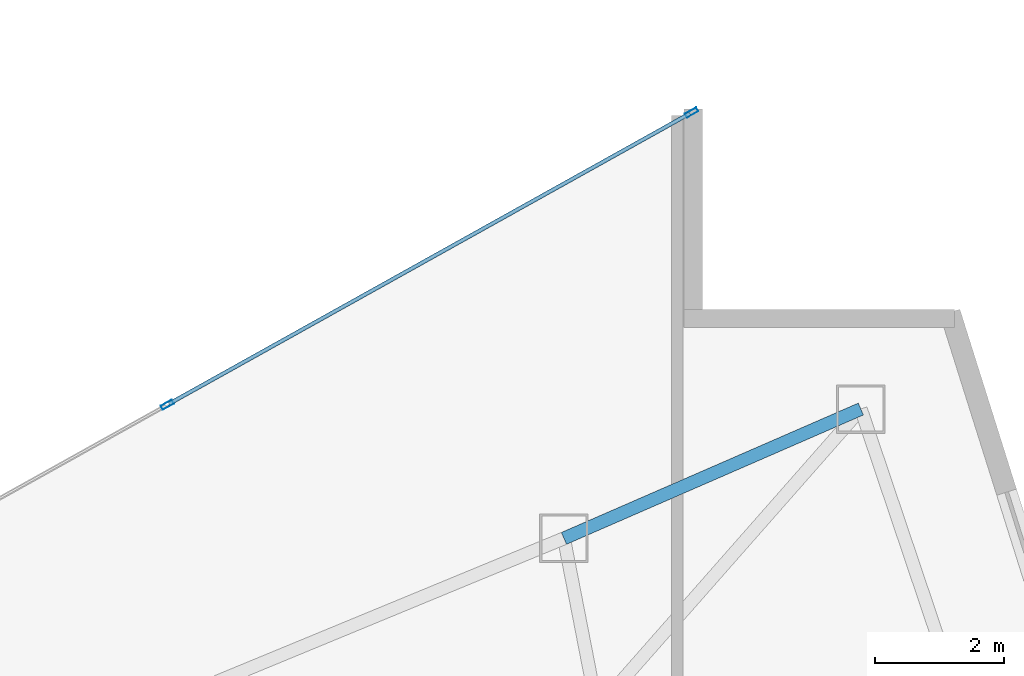
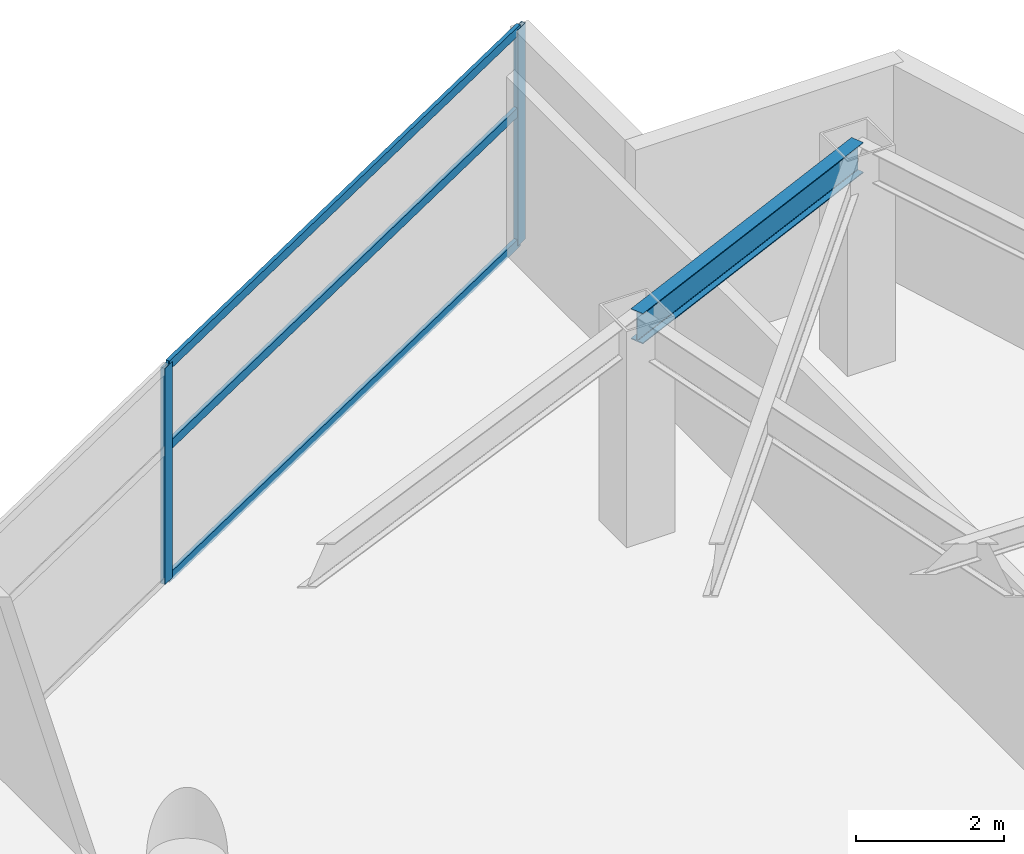
# One storey, part 20 of 29: 5 members, 1 beam, 1 element without a shape of its own.
"""IFC4 building model written with IfcOpenShell, lengths in metres."""

from ifc_helpers import new_model, si_unit, direction, frame, origin, origin_2d, place, context, subcontext, project, spatial, hollow_rectangle, i_section, extrude, material, layer, layer_set, material_profile, profile_set, type_object, element, aggregate, save


model = new_model("IFC4")

# Units and contexts
model_context = context("Model", 3, precision=1e-05, world=origin(), true_north=direction((0.0, 1.0)))
body_context = subcontext(model_context, "Body", "Model", "MODEL_VIEW")
ifc_project = project(units=[si_unit("LENGTHUNIT", "METRE"), si_unit("AREAUNIT", "SQUARE_METRE"), si_unit("VOLUMEUNIT", "CUBIC_METRE"), si_unit("PLANEANGLEUNIT", "RADIAN"), si_unit("MASSUNIT", "GRAM", prefix="KILO")], contexts=[model_context])

# Site, building, storey
site_placement = place(None, origin())
site = spatial("IfcSite", under=ifc_project, at=site_placement, CompositionType="ELEMENT")
building_placement = place(site_placement, origin())
building = spatial("IfcBuilding", under=site, at=building_placement, Name="Calvorn Quay Hotel", CompositionType="ELEMENT")
storey_placement = place(building_placement, frame((0.0, 0.0, 167.5)))
storey = spatial("IfcBuildingStorey", under=building, at=storey_placement, Name="L41", CompositionType="ELEMENT", Elevation=167.5)

# Beam
ifc_material_1 = material(Name="Steel Q355B", Category="steel")
ifc_material_profile_1 = material_profile(ifc_material_1, i_section(OverallWidth=0.199951171875, OverallDepth=0.5, WebThickness=0.010009765625, FlangeThickness=0.01611328125, FilletRadius=0.01611328125, at=origin_2d()), Name="HN500x200x10x16")
ifc_profile_set_1 = profile_set([ifc_material_profile_1], Name="Steel Q355B")
beam_type = type_object("IfcBeamType", Name="BM-SPANDREL-Z1", PredefinedType="SPANDREL", material=ifc_profile_set_1)
beam_placement = place(storey_placement, frame((48.591064453125, 33.39990234375, 3.2900390625), z_axis=(-0.916786146489, -0.399378469132, 0.0), x_axis=(0.399378469132, -0.916786146489, 0.0)))
element("IfcBeam", 1, at=beam_placement, inside=storey, type_object=beam_type, Name="Beam BSP-L41-E3", PredefinedType="SPANDREL", context=body_context, shape_type="SweptSolid", body=[
    extrude(i_section(OverallWidth=0.199951171875, OverallDepth=0.5, WebThickness=0.010009765625, FlangeThickness=0.01611328125, FilletRadius=0.01611328125, at=origin_2d()), origin(), (0.0, 0.0, 1.0), 5.0078125),
])

# Curtain wall, members
ifc_material_2 = material(Name="Pale Anodised Aluminium and Low-E Glass", Category="aluminium")
ifc_layer = layer(ifc_material_2, 0.219970703125)
ifc_layer_set = layer_set([ifc_layer], Name="CW-SYS-Z2")
curtain_wall_type = type_object("IfcCurtainWallType", Name="CW-SYS-Z2", PredefinedType="NOTDEFINED", material=ifc_layer_set)
curtain_wall_placement = place(storey_placement, origin())
curtain_wall = element("IfcCurtainWall", 2, at=curtain_wall_placement, inside=storey, type_object=curtain_wall_type, Name="Inner Court Curtain Wall L41-NE1", PredefinedType="NOTDEFINED")
ifc_material_3 = material(Name="Pale Anodised Aluminium 6063-T6", Category="aluminium")
ifc_material_profile_2 = material_profile(ifc_material_3, hollow_rectangle(XDim=0.070068359375, YDim=0.199951171875, WallThickness=0.00390625, at=origin_2d()), Name="ALU-M200x70x4")
ifc_profile_set_2 = profile_set([ifc_material_profile_2], Name="Pale Anodised Aluminium 6063-T6")
member_type_1 = type_object("IfcMemberType", Name="CW-SYS-Z2-MUL", PredefinedType="MULLION", material=ifc_profile_set_2)
member_1_placement = place(storey_placement, frame((45.973876953125, 37.9853515625, 0.0), z_axis=(0.0, 0.0, 1.0), x_axis=(0.486858256224, -0.873480989116, 0.0)))
member_1 = element("IfcMember", 3, at=member_1_placement, type_object=member_type_1, Name="CW-L41-NE1 mullion 1", PredefinedType="MULLION", context=body_context, shape_type="SweptSolid", body=[
    extrude(hollow_rectangle(XDim=0.070068359375, YDim=0.199951171875, WallThickness=0.00390625, at=origin_2d()), origin(), (0.0, 0.0, 1.0), 3.56005859375),
])
member_2_placement = place(storey_placement, frame((37.86669921875, 33.466552734375, 0.0), z_axis=(0.0, 0.0, 1.0), x_axis=(0.486858256224, -0.873480989116, 0.0)))
member_2 = element("IfcMember", 4, at=member_2_placement, type_object=member_type_1, Name="CW-L41-NE1 mullion 2", PredefinedType="MULLION", context=body_context, shape_type="SweptSolid", body=[
    extrude(hollow_rectangle(XDim=0.070068359375, YDim=0.199951171875, WallThickness=0.00390625, at=origin_2d()), origin(), (0.0, 0.0, 1.0), 3.56005859375),
])
ifc_material_4 = material(Name="Pale Anodised Aluminium 6063-T6", Category="aluminium")
ifc_material_profile_3 = material_profile(ifc_material_4, hollow_rectangle(XDim=0.06005859375, YDim=0.14990234375, WallThickness=0.00341796875, at=origin_2d()), Name="ALU-T150x60x3.5")
ifc_profile_set_3 = profile_set([ifc_material_profile_3], Name="Pale Anodised Aluminium 6063-T6")
member_type_2 = type_object("IfcMemberType", Name="CW-SYS-Z2-TRN", PredefinedType="USERDEFINED", material=ifc_profile_set_3)
member_3_placement = place(storey_placement, frame((45.947509765625, 37.970703125, 0.030029296875), z_axis=(-0.87348080454, -0.486858587375, 0.0), x_axis=(0.486858587375, -0.87348080454, 0.0)))
member_3 = element("IfcMember", 5, at=member_3_placement, type_object=member_type_2, Name="CW-L41-NE1 transom 1.1", ObjectType="TRANSOM", PredefinedType="USERDEFINED", context=body_context, shape_type="SweptSolid", body=[
    extrude(hollow_rectangle(XDim=0.06005859375, YDim=0.14990234375, WallThickness=0.00341796875, at=origin_2d()), origin(), (0.0, 0.0, 1.0), 9.221435546875),
])
member_4_placement = place(storey_placement, frame((45.947509765625, 37.970703125, 2.199951171875), z_axis=(-0.87348080454, -0.486858587375, 0.0), x_axis=(0.486858587375, -0.87348080454, 0.0)))
member_4 = element("IfcMember", 6, at=member_4_placement, type_object=member_type_2, Name="CW-L41-NE1 transom 1.2", ObjectType="TRANSOM", PredefinedType="USERDEFINED", context=body_context, shape_type="SweptSolid", body=[
    extrude(hollow_rectangle(XDim=0.06005859375, YDim=0.14990234375, WallThickness=0.00341796875, at=origin_2d()), origin(), (0.0, 0.0, 1.0), 9.221435546875),
])
member_5_placement = place(storey_placement, frame((45.947509765625, 37.970703125, 3.530029296875), z_axis=(-0.87348080454, -0.486858587375, 0.0), x_axis=(0.486858587375, -0.87348080454, 0.0)))
member_5 = element("IfcMember", 7, at=member_5_placement, type_object=member_type_2, Name="CW-L41-NE1 transom 1.3", ObjectType="TRANSOM", PredefinedType="USERDEFINED", context=body_context, shape_type="SweptSolid", body=[
    extrude(hollow_rectangle(XDim=0.06005859375, YDim=0.14990234375, WallThickness=0.00341796875, at=origin_2d()), origin(), (0.0, 0.0, 1.0), 9.221435546875),
])
aggregate(curtain_wall, [member_1, member_2, member_3, member_4, member_5])

save(model, "model.ifc")
